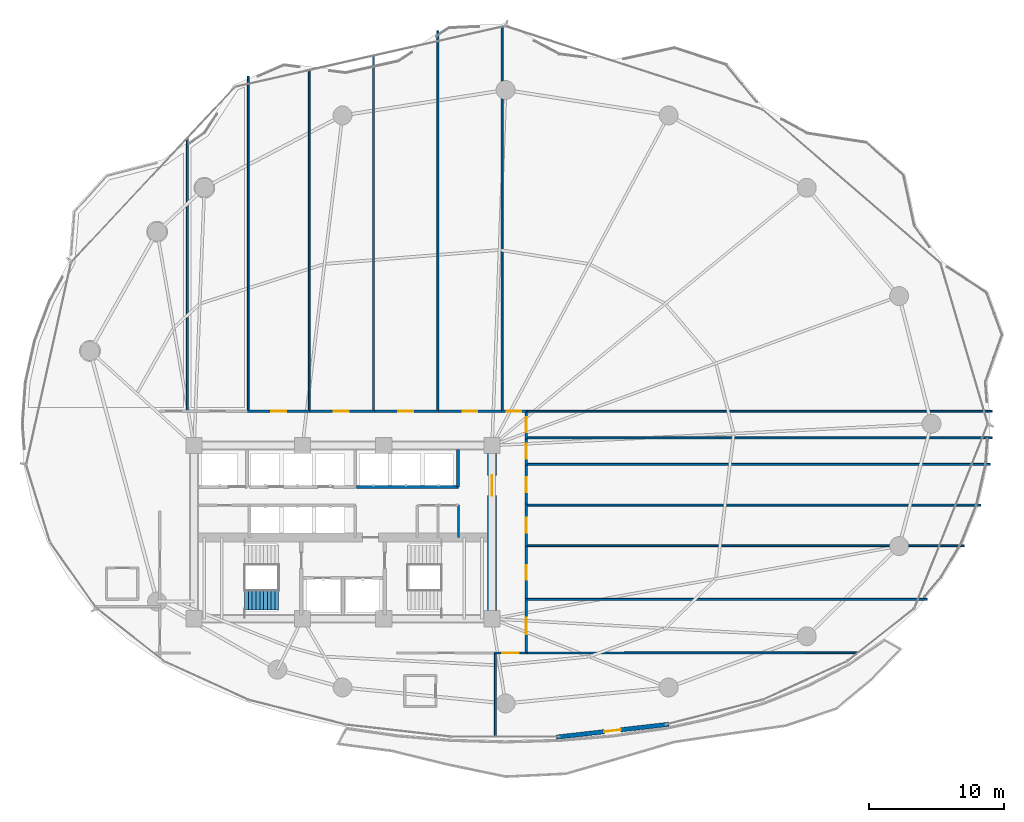
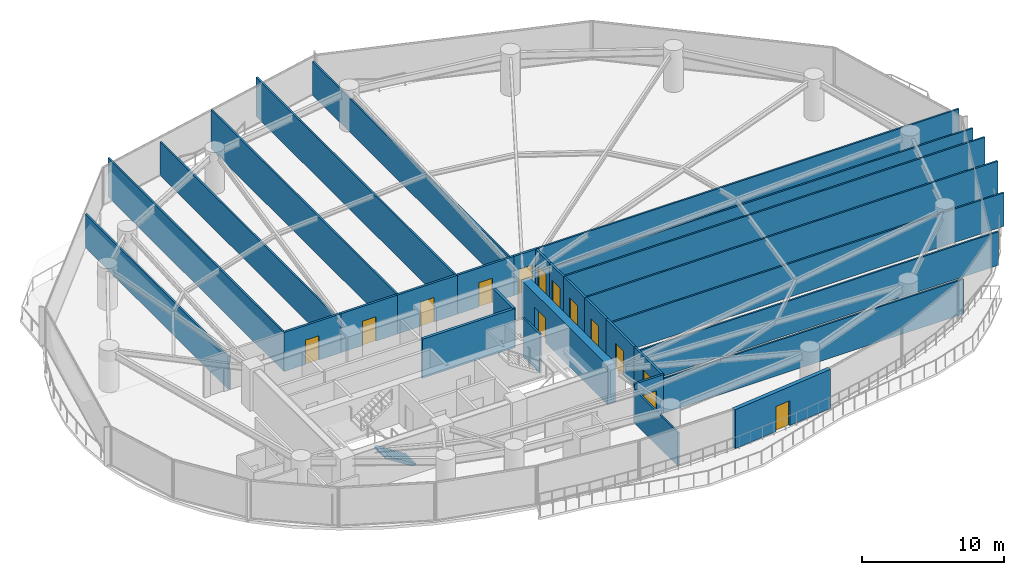
# One storey, part 27 of 33: 31 walls, 14 doors, 1 stair flight, 14 openings, 1 element without a shape of its own.
"""IFC4 building model written with IfcOpenShell, lengths in metres."""

import ifcopenshell
import ifcopenshell.guid

model = None  # the IFC model being written
_history = None  # IfcOwnerHistory: only IFC2X3 demands one
_inside = {}  # id of a spatial element -> (the spatial element, [elements in it])
_under = {}  # id of a project, library or spatial element -> (it, [spatial elements below it])
_declared = {}  # id of a project -> (the project, [libraries it declares])
_typed = {}  # id of a type object -> (the type object, [elements of that type])
_made_of = {}  # id of a material, layer set ... -> (it, [elements and type objects made of it])


def new_model(schema):
    """Start an empty IFC model of exactly this schema.

    Asked for "IFC4X3", IfcOpenShell would pick the latest addendum, in which some entities
    have other attributes; the version numbers below select the first issue.
    IFC2X3 requires an IfcOwnerHistory on every rooted entity: one is made here for all.
    """
    global model, _history
    if schema == "IFC4X3":
        model = ifcopenshell.file(schema_version=(4, 3, 0, 0))
    else:
        model = ifcopenshell.file(schema=schema)
    _inside.clear()
    _under.clear()
    _declared.clear()
    _typed.clear()
    _made_of.clear()
    _history = None
    if model.schema == "IFC2X3":
        org = make("IfcOrganization", Name="unknown")
        user = make(
            "IfcPersonAndOrganization",
            ThePerson=make("IfcPerson", FamilyName="unknown"),
            TheOrganization=org,
        )
        app = make(
            "IfcApplication",
            ApplicationDeveloper=org,
            Version="unknown",
            ApplicationFullName="unknown",
            ApplicationIdentifier="unknown",
        )
        _history = make(
            "IfcOwnerHistory",
            OwningUser=user,
            OwningApplication=app,
            ChangeAction="ADDED",
            CreationDate=0,
        )
    return model


def make(cls, **values):
    """One entity of the class cls with the attributes given. An attribute that is None is left unset."""
    return model.create_entity(
        cls, **{name: value for name, value in values.items() if value is not None}
    )


def rooted(cls, **values):
    """An entity with a GlobalId (a new one), such as an element, a storey or a relation."""
    return make(cls, GlobalId=ifcopenshell.guid.new(), OwnerHistory=_history, **values)


def si_unit(unit_type, name, prefix=None):
    """IfcSIUnit, for example si_unit("LENGTHUNIT", "METRE", prefix="MILLI")."""
    return make("IfcSIUnit", UnitType=unit_type, Prefix=prefix, Name=name)


def assignment(units):
    """IfcUnitAssignment: the units of a project."""
    return None if units is None else make("IfcUnitAssignment", Units=units)


def point(xyz):
    """IfcCartesianPoint."""
    return None if xyz is None else make("IfcCartesianPoint", Coordinates=xyz)


def direction(xyz):
    """IfcDirection."""
    return None if xyz is None else make("IfcDirection", DirectionRatios=xyz)


def frame(location, z_axis=None, x_axis=None):
    """IfcAxis2Placement3D, a coordinate frame: its origin and axes. An axis left out is left unset."""
    return make(
        "IfcAxis2Placement3D",
        Location=point(location),
        Axis=direction(z_axis),
        RefDirection=direction(x_axis),
    )


def frame_2d(location, x_axis=None):
    """IfcAxis2Placement2D, a coordinate frame in the plane: its origin and x axis."""
    return make(
        "IfcAxis2Placement2D", Location=point(location), RefDirection=direction(x_axis)
    )


def origin():
    """The frame at (0, 0, 0) with its axes left unset."""
    return frame((0.0, 0.0, 0.0))


def place(relative_to, where):
    """IfcLocalPlacement: puts the frame where relative to a parent placement (None: the world)."""
    return make(
        "IfcLocalPlacement", PlacementRelTo=relative_to, RelativePlacement=where
    )


def context(
    kind, dimensions, precision=None, world=None, true_north=None, identifier=None
):
    """IfcGeometricRepresentationContext, for example the 3D "Model" context."""
    return make(
        "IfcGeometricRepresentationContext",
        ContextIdentifier=identifier,
        ContextType=kind,
        CoordinateSpaceDimension=dimensions,
        Precision=precision,
        WorldCoordinateSystem=world,
        TrueNorth=true_north,
    )


def subcontext(parent, identifier, kind, view, scale=None):
    """IfcGeometricRepresentationSubContext, for example "Body" below "Model"."""
    return make(
        "IfcGeometricRepresentationSubContext",
        ContextIdentifier=identifier,
        ContextType=kind,
        ParentContext=parent,
        TargetScale=scale,
        TargetView=view,
    )


def project(units=None, contexts=None):
    """IfcProject with its units and contexts."""
    return rooted(
        "IfcProject",
        Name="project",
        RepresentationContexts=contexts,
        UnitsInContext=assignment(units),
    )


def spatial(cls, under=None, at=None, **own):
    """A site, building, storey or space (cls), placed at a placement, below another one or the project."""
    s = rooted(cls, ObjectPlacement=at, **own)
    if under is not None:
        _under.setdefault(under.id(), (under, []))[1].append(s)
    return s


def polyline(points):
    """IfcPolyline through the points."""
    return make("IfcPolyline", Points=[point(p) for p in points])


def profile(cls, at=None, kind="AREA", **sizes):
    """A parametric profile (cls). Its sizes go by their IFC names, for example OverallWidth=200.0."""
    return make(cls, ProfileType=kind, Position=at, **sizes)


def rectangle(**sizes):
    """IfcRectangleProfileDef."""
    return profile("IfcRectangleProfileDef", **sizes)


def outline(outer, holes=None, kind="AREA"):
    """IfcArbitraryClosedProfileDef: a profile drawn as a closed curve; with holes, ...WithVoids."""
    if holes is None:
        return make("IfcArbitraryClosedProfileDef", ProfileType=kind, OuterCurve=outer)
    return make(
        "IfcArbitraryProfileDefWithVoids",
        ProfileType=kind,
        OuterCurve=outer,
        InnerCurves=holes,
    )


def extrude(swept, where, along, depth):
    """IfcExtrudedAreaSolid: the profile swept, set in the frame where, extruded along a direction by depth."""
    return make(
        "IfcExtrudedAreaSolid",
        SweptArea=swept,
        Position=where,
        ExtrudedDirection=direction(along),
        Depth=depth,
    )


def shape(context_of_items, identifier, shape_type, items):
    """IfcShapeRepresentation: the items that make up one representation, for example the "Body"."""
    return make(
        "IfcShapeRepresentation",
        ContextOfItems=context_of_items,
        RepresentationIdentifier=identifier,
        RepresentationType=shape_type,
        Items=items,
    )


def material(Name=None, Category=None):
    """IfcMaterial."""
    return make("IfcMaterial", Name=Name, Category=Category)


def layer(
    of_material, thickness, ventilated=None, Name=None, Category=None, Priority=None
):
    """IfcMaterialLayer: one layer of a wall or slab, of a material (None: an air gap)."""
    return make(
        "IfcMaterialLayer",
        Material=of_material,
        LayerThickness=thickness,
        IsVentilated=ventilated,
        Name=Name,
        Category=Category,
        Priority=Priority,
    )


def layer_set(layers, Name=None):
    """IfcMaterialLayerSet."""
    return make("IfcMaterialLayerSet", MaterialLayers=layers, LayerSetName=Name)


def made_of(thing, what):
    """Note that an element or type object is made of a material, layer set ...; save() writes the relation."""
    if what is not None:
        _made_of.setdefault(what.id(), (what, []))[1].append(thing)
    return thing


def type_object(cls, material=None, **own):
    """A type object (cls), such as IfcWallType, which elements share."""
    return made_of(rooted(cls, **own), material)


def element(
    cls,
    number,
    at=None,
    inside=None,
    cuts=None,
    type_object=None,
    material=None,
    context=None,
    identifier="Body",
    shape_type=None,
    held_by="IfcProductDefinitionShape",
    body=None,
    shapes=None,
    **own,
):
    """One element of the class cls, such as IfcWall. Its Tag is "e" and its number.

    at: its placement. inside: the storey or other place that contains it. cuts: it is an
    opening in that element (IfcRelVoidsElement). A single representation is given by context,
    identifier, shape_type and body (its items); several are given by shapes. held_by: the class
    of the entity that holds the representations. save() writes the other relations.
    """
    e = rooted(cls, Tag="e%d" % number, ObjectPlacement=at, **own)
    if body is not None:
        shapes = [shape(context, identifier, shape_type, body)]
    if shapes is not None:
        e.Representation = make(held_by, Representations=shapes)
    if inside is not None:
        _inside.setdefault(inside.id(), (inside, []))[1].append(e)
    if cuts is not None:
        rooted(
            "IfcRelVoidsElement", RelatingBuildingElement=cuts, RelatedOpeningElement=e
        )
    if type_object is not None:
        _typed.setdefault(type_object.id(), (type_object, []))[1].append(e)
    return made_of(e, material)


def fill(opening, filler):
    """IfcRelFillsElement: the door or window that sits in an opening."""
    return rooted(
        "IfcRelFillsElement",
        RelatingOpeningElement=opening,
        RelatedBuildingElement=filler,
    )


def aggregate(whole, parts):
    """IfcRelAggregates: a whole, such as a stair, and the parts it consists of."""
    return rooted("IfcRelAggregates", RelatingObject=whole, RelatedObjects=parts)


def save(model, path):
    """Write the relations noted so far, then the file.

    IfcRelAggregates (storeys below a building ...), IfcRelContainedInSpatialStructure (elements
    in a storey), IfcRelDefinesByType, IfcRelAssociatesMaterial and IfcRelDeclares: one each for
    every whole, place, type object, material and project.
    """
    for whole, parts in _under.values():
        aggregate(whole, parts)
    for where, things in _inside.values():
        rooted(
            "IfcRelContainedInSpatialStructure",
            RelatedElements=things,
            RelatingStructure=where,
        )
    for kind, things in _typed.values():
        rooted("IfcRelDefinesByType", RelatedObjects=things, RelatingType=kind)
    for what, things in _made_of.values():
        rooted("IfcRelAssociatesMaterial", RelatedObjects=things, RelatingMaterial=what)
    for by, libraries in _declared.values():
        rooted("IfcRelDeclares", RelatingContext=by, RelatedDefinitions=libraries)
    model.write(path)


model = new_model("IFC4")

# Units and contexts
model_context = context("Model", 3, precision=1e-05, world=origin(), true_north=direction((0.0, 1.0)))
body_context = subcontext(model_context, "Body", "Model", "MODEL_VIEW")
ifc_project = project(units=[si_unit("LENGTHUNIT", "METRE"), si_unit("AREAUNIT", "SQUARE_METRE"), si_unit("VOLUMEUNIT", "CUBIC_METRE"), si_unit("PLANEANGLEUNIT", "RADIAN"), si_unit("MASSUNIT", "GRAM", prefix="KILO")], contexts=[model_context])

# Site, building, storey
site_placement = place(None, origin())
site = spatial("IfcSite", under=ifc_project, at=site_placement, CompositionType="ELEMENT")
building_placement = place(site_placement, origin())
building = spatial("IfcBuilding", under=site, at=building_placement, Name="Kazevale Care Tower and Concert Hall", CompositionType="ELEMENT")
storey_placement = place(building_placement, frame((0.0, 0.0, 52.800048828125)))
storey = spatial("IfcBuildingStorey", under=building, at=storey_placement, Name="L13", CompositionType="ELEMENT", Elevation=52.800048828125)

# Walls
ifc_material_1 = material(Name="Acoustic Gypsum on Steel Stud", Category="steel")
ifc_layer_1 = layer(ifc_material_1, 0.139892578125)
ifc_layer_set_1 = layer_set([ifc_layer_1], Name="Acoustic Gypsum on Steel Stud")
wall_type_1 = type_object("IfcWallType", Name="Acoustic Care & Suite Partition 140", PredefinedType="PARTITIONING", material=ifc_layer_set_1)
wall_1_placement = place(storey_placement, frame((41.52001953125, 29.6201171875, 0.0), z_axis=(0.0, 0.0, 1.0), x_axis=(0.0, 1.0, 0.0)))
element("IfcWall", 1, at=wall_1_placement, inside=storey, type_object=wall_type_1, Name="wall:L13:ka_ee", PredefinedType="PARTITIONING", context=body_context, shape_type="SweptSolid", body=[
    extrude(rectangle(XDim=2.35986328125, YDim=0.139892578125, at=frame_2d((1.179931640625, 0.0))), origin(), (0.0, 0.0, 1.0), 3.35986328125),
])
wall_2_placement = place(storey_placement, frame((21.5, 59.085205078125, 0.0), z_axis=(0.0, 0.0, 1.0), x_axis=(0.0, -1.0, 0.0)))
element("IfcWall", 2, at=wall_2_placement, inside=storey, type_object=wall_type_1, Name="wall:L13:auto_019", PredefinedType="PARTITIONING", context=body_context, shape_type="SweptSolid", body=[
    extrude(rectangle(XDim=20.190185546875, YDim=0.139892578125, at=frame_2d((10.09521484375, 0.0))), origin(), (0.0, 0.0, 1.0), 2.889892578125),
])
wall_3_placement = place(storey_placement, frame((26.0, 63.674072265625, 0.0), z_axis=(0.0, 0.0, 1.0), x_axis=(0.0, -1.0, 0.0)))
element("IfcWall", 3, at=wall_3_placement, inside=storey, type_object=wall_type_1, Name="wall:L13:auto_020", PredefinedType="PARTITIONING", context=body_context, shape_type="SweptSolid", body=[
    extrude(rectangle(XDim=24.779052734375, YDim=0.139892578125, at=frame_2d((12.3896484375, 0.0))), origin(), (0.0, 0.0, 1.0), 3.35986328125),
])
wall_4_placement = place(storey_placement, frame((30.5, 64.098388671875, 0.0), z_axis=(0.0, 0.0, 1.0), x_axis=(0.0, -1.0, 0.0)))
element("IfcWall", 4, at=wall_4_placement, inside=storey, type_object=wall_type_1, Name="wall:L13:auto_021", PredefinedType="PARTITIONING", context=body_context, shape_type="SweptSolid", body=[
    extrude(rectangle(XDim=25.203369140625, YDim=0.139892578125, at=frame_2d((12.6015625, 0.0))), origin(), (0.0, 0.0, 1.0), 2.889892578125),
])
wall_5_placement = place(storey_placement, frame((35.25, 65.169189453125, 0.0), z_axis=(0.0, 0.0, 1.0), x_axis=(0.0, -1.0, 0.0)))
element("IfcWall", 5, at=wall_5_placement, inside=storey, type_object=wall_type_1, Name="wall:L13:auto_022", PredefinedType="PARTITIONING", context=body_context, shape_type="SweptSolid", body=[
    extrude(rectangle(XDim=26.274169921875, YDim=0.139892578125, at=frame_2d((13.13720703125, 0.0))), origin(), (0.0, 0.0, 1.0), 3.35986328125),
])
wall_6_placement = place(storey_placement, frame((40.0, 67.02099609375, 0.0), z_axis=(0.0, 0.0, 1.0), x_axis=(0.0, -1.0, 0.0)))
element("IfcWall", 6, at=wall_6_placement, inside=storey, type_object=wall_type_1, Name="wall:L13:auto_023", PredefinedType="PARTITIONING", context=body_context, shape_type="SweptSolid", body=[
    extrude(rectangle(XDim=28.1259765625, YDim=0.139892578125, at=frame_2d((14.06298828125, 0.0))), origin(), (0.0, 0.0, 1.0), 3.35986328125),
])
wall_7_placement = place(storey_placement, frame((44.75, 67.310791015625, 0.0), z_axis=(0.0, 0.0, 1.0), x_axis=(0.0, -1.0, 0.0)))
element("IfcWall", 7, at=wall_7_placement, inside=storey, type_object=wall_type_1, Name="wall:L13:auto_024", PredefinedType="PARTITIONING", context=body_context, shape_type="SweptSolid", body=[
    extrude(rectangle(XDim=28.415771484375, YDim=0.139892578125, at=frame_2d((14.2080078125, 0.0))), origin(), (0.0, 0.0, 1.0), 2.889892578125),
])
wall_8_placement = place(storey_placement, frame((80.931884765625, 38.925048828125, 0.0), z_axis=(0.0, 0.0, 1.0), x_axis=(-1.0, 0.0, 0.0)))
element("IfcWall", 8, at=wall_8_placement, inside=storey, type_object=wall_type_1, Name="wall:L13:auto_025", PredefinedType="PARTITIONING", context=body_context, shape_type="SweptSolid", body=[
    extrude(rectangle(XDim=34.471923828125, YDim=0.139892578125, at=frame_2d((17.23583984375, 0.0))), origin(), (0.0, 0.0, 1.0), 3.35986328125),
])
wall_9_placement = place(storey_placement, frame((46.4951171875, 25.0400390625, 0.0), z_axis=(0.0, 0.0, 1.0), x_axis=(1.0, 0.0, 0.0)))
element("IfcWall", 9, at=wall_9_placement, inside=storey, type_object=wall_type_1, Name="wall:L13:auto_026", PredefinedType="PARTITIONING", context=body_context, shape_type="SweptSolid", body=[
    extrude(rectangle(XDim=29.625, YDim=0.139892578125, at=frame_2d((14.8125, 0.0))), origin(), (0.0, 0.0, 1.0), 2.889892578125),
])
wall_10_placement = place(storey_placement, frame((71.0107421875, 21.094482421875, 0.0), z_axis=(0.0, 0.0, 1.0), x_axis=(-0.999999682646, -0.000796685534, 0.0)))
element("IfcWall", 10, at=wall_10_placement, inside=storey, type_object=wall_type_1, Name="wall:L13:auto_027", PredefinedType="PARTITIONING", context=body_context, shape_type="SweptSolid", body=[
    extrude(rectangle(XDim=24.515625, YDim=0.139892578125, at=frame_2d((12.2578125, 0.0))), origin(), (0.0, 0.0, 1.0), 2.995849609375),
])
wall_11_placement = place(storey_placement, frame((46.4951171875, 29.0, 0.0), z_axis=(0.0, 0.0, 1.0), x_axis=(1.0, 0.0, 0.0)))
element("IfcWall", 11, at=wall_11_placement, inside=storey, type_object=wall_type_1, Name="wall:L13:auto_028", PredefinedType="PARTITIONING", context=body_context, shape_type="SweptSolid", body=[
    extrude(rectangle(XDim=32.36083984375, YDim=0.139892578125, at=frame_2d((16.180419921875, 0.0))), origin(), (0.0, 0.0, 1.0), 2.889892578125),
])
wall_12_placement = place(storey_placement, frame((46.4951171875, 32.0, 0.0), z_axis=(0.0, 0.0, 1.0), x_axis=(1.0, 0.0, 0.0)))
element("IfcWall", 12, at=wall_12_placement, inside=storey, type_object=wall_type_1, Name="wall:L13:auto_029", PredefinedType="PARTITIONING", context=body_context, shape_type="SweptSolid", body=[
    extrude(rectangle(XDim=33.60498046875, YDim=0.139892578125, at=frame_2d((16.802490234375, 0.0))), origin(), (0.0, 0.0, 1.0), 3.35986328125),
])
wall_13_placement = place(storey_placement, frame((46.4951171875, 35.0, 0.0), z_axis=(0.0, 0.0, 1.0), x_axis=(1.0, 0.0, 0.0)))
element("IfcWall", 13, at=wall_13_placement, inside=storey, type_object=wall_type_1, Name="wall:L13:auto_030", PredefinedType="PARTITIONING", context=body_context, shape_type="SweptSolid", body=[
    extrude(rectangle(XDim=34.283935546875, YDim=0.139892578125, at=frame_2d((17.14208984375, 0.0))), origin(), (0.0, 0.0, 1.0), 3.35986328125),
])
wall_14_placement = place(storey_placement, frame((46.4951171875, 36.9599609375, 0.0), z_axis=(0.0, 0.0, 1.0), x_axis=(1.0, 0.0, 0.0)))
element("IfcWall", 14, at=wall_14_placement, inside=storey, type_object=wall_type_1, Name="wall:L13:auto_031", PredefinedType="PARTITIONING", context=body_context, shape_type="SweptSolid", body=[
    extrude(rectangle(XDim=34.427978515625, YDim=0.139892578125, at=frame_2d((17.2138671875, 0.0))), origin(), (0.0, 0.0, 1.0), 2.889892578125),
])
wall_15_placement = place(storey_placement, frame((44.25, 21.10498046875, 0.0), z_axis=(0.0, 0.0, 1.0), x_axis=(0.0, -1.0, 0.0)))
element("IfcWall", 15, at=wall_15_placement, inside=storey, type_object=wall_type_1, Name="wall:L13:auto_032", PredefinedType="PARTITIONING", context=body_context, shape_type="SweptSolid", body=[
    extrude(rectangle(XDim=6.205078125, YDim=0.139892578125, at=frame_2d((3.1025390625, 0.0))), origin(), (0.0, 0.0, 1.0), 2.889892578125),
])

# Wall, opening, door
ifc_material_2 = material(Name="Concrete C70", Category="concrete")
ifc_layer_2 = layer(ifc_material_2, 0.64990234375)
ifc_layer_set_2 = layer_set([ifc_layer_2], Name="Concrete C70")
wall_type_2 = type_object("IfcWallType", Name="Core Shear Wall 650 C70", PredefinedType="SHEAR", material=ifc_layer_set_2)
wall_16_placement = place(storey_placement, frame((44.0, 23.925048828125, 0.0), z_axis=(0.0, 0.0, 1.0), x_axis=(0.0, 1.0, 0.0)))
wall_16 = element("IfcWall", 16, at=wall_16_placement, inside=storey, type_object=wall_type_2, Name="wall:L13:core:E", PredefinedType="SHEAR", context=body_context, shape_type="SweptSolid", body=[
    extrude(rectangle(XDim=12.14990234375, YDim=0.64990234375, at=frame_2d((6.074951171875, 0.0))), origin(), (0.0, 0.0, 1.0), 3.35986328125),
])
opening_1_placement = place(wall_16_placement, frame((8.77490234375, 0.0, 0.0)))
opening_1 = element("IfcOpeningElement", 17, at=opening_1_placement, cuts=wall_16, Name="Opening FD-60D", PredefinedType="OPENING", context=body_context, shape_type="SweptSolid", body=[
    extrude(rectangle(XDim=1.5, YDim=2.14990234375, at=frame_2d((0.75, 1.074951171875))), frame((0.0, 0.3349609375, 0.0), z_axis=(0.0, -1.0, 0.0), x_axis=(1.0, 0.0, 0.0)), (0.0, 0.0, 1.0), 0.669921875),
])
ifc_material_3 = material(Name="Oak Timber Fire Leaf", Category="wood")
door_type_1 = type_object("IfcDoorType", Name="Double Lobby & Auditorium Fire Door 1500x2150", OperationType="NOTDEFINED", PredefinedType="DOOR", material=ifc_material_3)
door_1_placement = place(opening_1_placement, origin())
door_1 = element("IfcDoor", 18, at=door_1_placement, inside=storey, type_object=door_type_1, Name="door:L13:core_east_out", OperationType="DOUBLE_DOOR_SINGLE_SWING", OverallHeight=2.14990234375, OverallWidth=1.5, PredefinedType="DOOR", context=body_context, shape_type="SweptSolid", body=[
    extrude(rectangle(XDim=1.5, YDim=2.14990234375, at=frame_2d((0.75, 1.074951171875))), frame((0.0, 0.02490234375, 0.0), z_axis=(0.0, -1.0, 0.0), x_axis=(1.0, 0.0, 0.0)), (0.0, 0.0, 1.0), 0.050048828125),
])
fill(opening_1, door_1)

# Walls
ifc_material_4 = material(Name="Concrete C40", Category="concrete")
ifc_layer_3 = layer(ifc_material_4, 0.219970703125)
ifc_layer_set_3 = layer_set([ifc_layer_3], Name="Concrete C40")
wall_type_3 = type_object("IfcWallType", Name="Elevator Hoistway Shaft Wall 220", PredefinedType="SOLIDWALL", material=ifc_layer_set_3)
wall_17_placement = place(storey_placement, frame((33.97998046875, 33.35009765625, 0.0), z_axis=(0.0, 0.0, 1.0), x_axis=(1.0, 0.0, 0.0)))
element("IfcWall", 19, at=wall_17_placement, inside=storey, type_object=wall_type_3, Name="wall:L13:c_pm_s", PredefinedType="SOLIDWALL", context=body_context, shape_type="SweptSolid", body=[
    extrude(rectangle(XDim=7.5400390625, YDim=0.219970703125, at=frame_2d((3.77001953125, 0.0))), origin(), (0.0, 0.0, 1.0), 3.35986328125),
])
wall_18_placement = place(storey_placement, frame((41.5, 33.35009765625, 0.0), z_axis=(0.0, 0.0, 1.0), x_axis=(0.0, 1.0, 0.0)))
element("IfcWall", 20, at=wall_18_placement, inside=storey, type_object=wall_type_3, Name="wall:L13:c_pm_e", PredefinedType="SOLIDWALL", context=body_context, shape_type="SweptSolid", body=[
    extrude(rectangle(XDim=2.75, YDim=0.219970703125, at=frame_2d((1.375, 0.0))), origin(), (0.0, 0.0, 1.0), 3.35986328125),
])

# Wall, opening, door
ifc_material_5 = material(Name="Concrete C40 and Acoustic Gypsum", Category="concrete")
ifc_layer_4 = layer(ifc_material_5, 0.179931640625)
ifc_layer_set_4 = layer_set([ifc_layer_4], Name="Concrete C40 and Acoustic Gypsum")
wall_type_4 = type_object("IfcWallType", Name="Fire-Rated Corridor & Party Wall 180", PredefinedType="PARTITIONING", material=ifc_layer_set_4)
wall_19_placement = place(storey_placement, frame((25.93505859375, 38.925048828125, 0.0), z_axis=(0.0, 0.0, 1.0), x_axis=(1.0, 0.0, 0.0)))
wall_19 = element("IfcWall", 21, at=wall_19_placement, inside=storey, type_object=wall_type_4, Name="wall:L13:auto_003", PredefinedType="PARTITIONING", context=body_context, shape_type="SweptSolid", body=[
    extrude(rectangle(XDim=4.6298828125, YDim=0.179931640625, at=frame_2d((2.31494140625, 0.0))), origin(), (0.0, 0.0, 1.0), 3.35986328125),
])
opening_2_placement = place(wall_19_placement, frame((1.764892578125, 0.0, 0.0)))
opening_2 = element("IfcOpeningElement", 22, at=opening_2_placement, cuts=wall_19, Name="Opening ID-1100", PredefinedType="OPENING", context=body_context, shape_type="SweptSolid", body=[
    extrude(rectangle(XDim=1.10009765625, YDim=2.10009765625, at=frame_2d((0.550048828125, 1.050048828125))), frame((0.0, 0.099853515625, 0.0), z_axis=(0.0, -1.0, 0.0), x_axis=(1.0, 0.0, 0.0)), (0.0, 0.0, 1.0), 0.199951171875),
])
door_type_2 = type_object("IfcDoorType", Name="Care Bedroom Accessible Door 1100x2100", OperationType="NOTDEFINED", PredefinedType="DOOR", material=ifc_material_3)
door_2_placement = place(opening_2_placement, origin())
door_2 = element("IfcDoor", 23, at=door_2_placement, inside=storey, type_object=door_type_2, Name="door:L13:ad_003", OperationType="SINGLE_SWING_LEFT", OverallHeight=2.10009765625, OverallWidth=1.10009765625, PredefinedType="DOOR", context=body_context, shape_type="SweptSolid", body=[
    extrude(rectangle(XDim=1.10009765625, YDim=2.10009765625, at=frame_2d((0.550048828125, 1.050048828125))), frame((0.0, 0.02490234375, 0.0), z_axis=(0.0, -1.0, 0.0), x_axis=(1.0, 0.0, 0.0)), (0.0, 0.0, 1.0), 0.050048828125),
])
fill(opening_2, door_2)

wall_20_placement = place(storey_placement, frame((30.43505859375, 38.925048828125, 0.0), z_axis=(0.0, 0.0, 1.0), x_axis=(1.0, 0.0, 0.0)))
wall_20 = element("IfcWall", 24, at=wall_20_placement, inside=storey, type_object=wall_type_4, Name="wall:L13:auto_004", PredefinedType="PARTITIONING", context=body_context, shape_type="SweptSolid", body=[
    extrude(rectangle(XDim=4.8798828125, YDim=0.179931640625, at=frame_2d((2.43994140625, 0.0))), origin(), (0.0, 0.0, 1.0), 3.35986328125),
])
opening_3_placement = place(wall_20_placement, frame((1.889892578125, 0.0, 0.0)))
opening_3 = element("IfcOpeningElement", 25, at=opening_3_placement, cuts=wall_20, Name="Opening ID-1100", PredefinedType="OPENING", context=body_context, shape_type="SweptSolid", body=[
    extrude(rectangle(XDim=1.10009765625, YDim=2.10009765625, at=frame_2d((0.550048828125, 1.050048828125))), frame((0.0, 0.099853515625, 0.0), z_axis=(0.0, -1.0, 0.0), x_axis=(1.0, 0.0, 0.0)), (0.0, 0.0, 1.0), 0.199951171875),
])
door_3_placement = place(opening_3_placement, origin())
door_3 = element("IfcDoor", 26, at=door_3_placement, inside=storey, type_object=door_type_2, Name="door:L13:ad_004", OperationType="SINGLE_SWING_LEFT", OverallHeight=2.10009765625, OverallWidth=1.10009765625, PredefinedType="DOOR", context=body_context, shape_type="SweptSolid", body=[
    extrude(rectangle(XDim=1.10009765625, YDim=2.10009765625, at=frame_2d((0.550048828125, 1.050048828125))), frame((0.0, 0.02490234375, 0.0), z_axis=(0.0, -1.0, 0.0), x_axis=(1.0, 0.0, 0.0)), (0.0, 0.0, 1.0), 0.050048828125),
])
fill(opening_3, door_3)

wall_21_placement = place(storey_placement, frame((35.18505859375, 38.925048828125, 0.0), z_axis=(0.0, 0.0, 1.0), x_axis=(1.0, 0.0, 0.0)))
wall_21 = element("IfcWall", 27, at=wall_21_placement, inside=storey, type_object=wall_type_4, Name="wall:L13:auto_005", PredefinedType="PARTITIONING", context=body_context, shape_type="SweptSolid", body=[
    extrude(rectangle(XDim=4.8798828125, YDim=0.179931640625, at=frame_2d((2.43994140625, 0.0))), origin(), (0.0, 0.0, 1.0), 3.35986328125),
])
opening_4_placement = place(wall_21_placement, frame((1.889892578125, 0.0, 0.0)))
opening_4 = element("IfcOpeningElement", 28, at=opening_4_placement, cuts=wall_21, Name="Opening ID-1100", PredefinedType="OPENING", context=body_context, shape_type="SweptSolid", body=[
    extrude(rectangle(XDim=1.10009765625, YDim=2.10009765625, at=frame_2d((0.550048828125, 1.050048828125))), frame((0.0, 0.099853515625, 0.0), z_axis=(0.0, -1.0, 0.0), x_axis=(1.0, 0.0, 0.0)), (0.0, 0.0, 1.0), 0.199951171875),
])
door_4_placement = place(opening_4_placement, origin())
door_4 = element("IfcDoor", 29, at=door_4_placement, inside=storey, type_object=door_type_2, Name="door:L13:ad_005", OperationType="SINGLE_SWING_LEFT", OverallHeight=2.10009765625, OverallWidth=1.10009765625, PredefinedType="DOOR", context=body_context, shape_type="SweptSolid", body=[
    extrude(rectangle(XDim=1.10009765625, YDim=2.10009765625, at=frame_2d((0.550048828125, 1.050048828125))), frame((0.0, 0.02490234375, 0.0), z_axis=(0.0, -1.0, 0.0), x_axis=(1.0, 0.0, 0.0)), (0.0, 0.0, 1.0), 0.050048828125),
])
fill(opening_4, door_4)

wall_22_placement = place(storey_placement, frame((39.93505859375, 38.925048828125, 0.0), z_axis=(0.0, 0.0, 1.0), x_axis=(1.0, 0.0, 0.0)))
wall_22 = element("IfcWall", 30, at=wall_22_placement, inside=storey, type_object=wall_type_4, Name="wall:L13:auto_006", PredefinedType="PARTITIONING", context=body_context, shape_type="SweptSolid", body=[
    extrude(rectangle(XDim=4.8798828125, YDim=0.179931640625, at=frame_2d((2.43994140625, 0.0))), origin(), (0.0, 0.0, 1.0), 3.35986328125),
])
opening_5_placement = place(wall_22_placement, frame((1.889892578125, 0.0, 0.0)))
opening_5 = element("IfcOpeningElement", 31, at=opening_5_placement, cuts=wall_22, Name="Opening ID-1100", PredefinedType="OPENING", context=body_context, shape_type="SweptSolid", body=[
    extrude(rectangle(XDim=1.10009765625, YDim=2.10009765625, at=frame_2d((0.550048828125, 1.050048828125))), frame((0.0, 0.099853515625, 0.0), z_axis=(0.0, -1.0, 0.0), x_axis=(1.0, 0.0, 0.0)), (0.0, 0.0, 1.0), 0.199951171875),
])
door_5_placement = place(opening_5_placement, origin())
door_5 = element("IfcDoor", 32, at=door_5_placement, inside=storey, type_object=door_type_2, Name="door:L13:ad_006", OperationType="SINGLE_SWING_LEFT", OverallHeight=2.10009765625, OverallWidth=1.10009765625, PredefinedType="DOOR", context=body_context, shape_type="SweptSolid", body=[
    extrude(rectangle(XDim=1.10009765625, YDim=2.10009765625, at=frame_2d((0.550048828125, 1.050048828125))), frame((0.0, 0.02490234375, 0.0), z_axis=(0.0, -1.0, 0.0), x_axis=(1.0, 0.0, 0.0)), (0.0, 0.0, 1.0), 0.050048828125),
])
fill(opening_5, door_5)

wall_23_placement = place(storey_placement, frame((44.68505859375, 38.925048828125, 0.0), z_axis=(0.0, 0.0, 1.0), x_axis=(1.0, 0.0, 0.0)))
wall_23 = element("IfcWall", 33, at=wall_23_placement, inside=storey, type_object=wall_type_4, Name="wall:L13:auto_007", PredefinedType="PARTITIONING", context=body_context, shape_type="SweptSolid", body=[
    extrude(rectangle(XDim=1.869873046875, YDim=0.179931640625, at=frame_2d((0.93505859375, 0.0))), origin(), (0.0, 0.0, 1.0), 3.35986328125),
])
opening_6_placement = place(wall_23_placement, frame((0.385009765625, 0.0, 0.0)))
opening_6 = element("IfcOpeningElement", 34, at=opening_6_placement, cuts=wall_23, Name="Opening ID-1100", PredefinedType="OPENING", context=body_context, shape_type="SweptSolid", body=[
    extrude(rectangle(XDim=1.10009765625, YDim=2.10009765625, at=frame_2d((0.550048828125, 1.050048828125))), frame((0.0, 0.099853515625, 0.0), z_axis=(0.0, -1.0, 0.0), x_axis=(1.0, 0.0, 0.0)), (0.0, 0.0, 1.0), 0.199951171875),
])
door_6_placement = place(opening_6_placement, origin())
door_6 = element("IfcDoor", 35, at=door_6_placement, inside=storey, type_object=door_type_2, Name="door:L13:ad_007", OperationType="SINGLE_SWING_LEFT", OverallHeight=2.10009765625, OverallWidth=1.10009765625, PredefinedType="DOOR", context=body_context, shape_type="SweptSolid", body=[
    extrude(rectangle(XDim=1.10009765625, YDim=2.10009765625, at=frame_2d((0.550048828125, 1.050048828125))), frame((0.0, 0.02490234375, 0.0), z_axis=(0.0, -1.0, 0.0), x_axis=(1.0, 0.0, 0.0)), (0.0, 0.0, 1.0), 0.050048828125),
])
fill(opening_6, door_6)

wall_24_placement = place(storey_placement, frame((46.52490234375, 25.10498046875, 0.0), z_axis=(0.0, 0.0, 1.0), x_axis=(0.0, -1.0, 0.0)))
wall_24 = element("IfcWall", 36, at=wall_24_placement, inside=storey, type_object=wall_type_4, Name="wall:L13:auto_008", PredefinedType="PARTITIONING", context=body_context, shape_type="SweptSolid", body=[
    extrude(rectangle(XDim=4.06005859375, YDim=0.179931640625, at=frame_2d((2.030029296875, 0.0))), origin(), (0.0, 0.0, 1.0), 3.35986328125),
])
opening_7_placement = place(wall_24_placement, frame((1.429931640625, 0.0, 0.0)))
opening_7 = element("IfcOpeningElement", 37, at=opening_7_placement, cuts=wall_24, Name="Opening ID-1200", PredefinedType="OPENING", context=body_context, shape_type="SweptSolid", body=[
    extrude(rectangle(XDim=1.199951171875, YDim=2.14990234375, at=frame_2d((0.60009765625, 1.074951171875))), frame((0.0, 0.099853515625, 0.0), z_axis=(0.0, -1.0, 0.0), x_axis=(1.0, 0.0, 0.0)), (0.0, 0.0, 1.0), 0.199951171875),
])
door_type_3 = type_object("IfcDoorType", Name="Clinical & Therapy Door 1200x2150", OperationType="NOTDEFINED", PredefinedType="DOOR", material=ifc_material_3)
door_7_placement = place(opening_7_placement, origin())
door_7 = element("IfcDoor", 38, at=door_7_placement, inside=storey, type_object=door_type_3, Name="door:L13:ad_008", OperationType="SINGLE_SWING_LEFT", OverallHeight=2.14990234375, OverallWidth=1.199951171875, PredefinedType="DOOR", context=body_context, shape_type="SweptSolid", body=[
    extrude(rectangle(XDim=1.199951171875, YDim=2.14990234375, at=frame_2d((0.60009765625, 1.074951171875))), frame((0.0, 0.02490234375, 0.0), z_axis=(0.0, -1.0, 0.0), x_axis=(1.0, 0.0, 0.0)), (0.0, 0.0, 1.0), 0.050048828125),
])
fill(opening_7, door_7)

wall_25_placement = place(storey_placement, frame((46.52490234375, 29.06494140625, 0.0), z_axis=(0.0, 0.0, 1.0), x_axis=(0.0, -1.0, 0.0)))
wall_25 = element("IfcWall", 39, at=wall_25_placement, inside=storey, type_object=wall_type_4, Name="wall:L13:auto_009", PredefinedType="PARTITIONING", context=body_context, shape_type="SweptSolid", body=[
    extrude(rectangle(XDim=4.08984375, YDim=0.179931640625, at=frame_2d((2.044921875, 0.0))), origin(), (0.0, 0.0, 1.0), 3.35986328125),
])
opening_8_placement = place(wall_25_placement, frame((1.4951171875, 0.0, 0.0)))
opening_8 = element("IfcOpeningElement", 40, at=opening_8_placement, cuts=wall_25, Name="Opening ID-1100", PredefinedType="OPENING", context=body_context, shape_type="SweptSolid", body=[
    extrude(rectangle(XDim=1.10009765625, YDim=2.10009765625, at=frame_2d((0.550048828125, 1.050048828125))), frame((0.0, 0.099853515625, 0.0), z_axis=(0.0, -1.0, 0.0), x_axis=(1.0, 0.0, 0.0)), (0.0, 0.0, 1.0), 0.199951171875),
])
door_8_placement = place(opening_8_placement, origin())
door_8 = element("IfcDoor", 41, at=door_8_placement, inside=storey, type_object=door_type_2, Name="door:L13:ad_009", OperationType="SINGLE_SWING_LEFT", OverallHeight=2.10009765625, OverallWidth=1.10009765625, PredefinedType="DOOR", context=body_context, shape_type="SweptSolid", body=[
    extrude(rectangle(XDim=1.10009765625, YDim=2.10009765625, at=frame_2d((0.550048828125, 1.050048828125))), frame((0.0, 0.02490234375, 0.0), z_axis=(0.0, -1.0, 0.0), x_axis=(1.0, 0.0, 0.0)), (0.0, 0.0, 1.0), 0.050048828125),
])
fill(opening_8, door_8)

wall_26_placement = place(storey_placement, frame((46.52490234375, 32.06494140625, 0.0), z_axis=(0.0, 0.0, 1.0), x_axis=(0.0, -1.0, 0.0)))
wall_26 = element("IfcWall", 42, at=wall_26_placement, inside=storey, type_object=wall_type_4, Name="wall:L13:auto_010", PredefinedType="PARTITIONING", context=body_context, shape_type="SweptSolid", body=[
    extrude(rectangle(XDim=3.1298828125, YDim=0.179931640625, at=frame_2d((1.56494140625, 0.0))), origin(), (0.0, 0.0, 1.0), 3.35986328125),
])
opening_9_placement = place(wall_26_placement, frame((1.014892578125, 0.0, 0.0)))
opening_9 = element("IfcOpeningElement", 43, at=opening_9_placement, cuts=wall_26, Name="Opening ID-1100", PredefinedType="OPENING", context=body_context, shape_type="SweptSolid", body=[
    extrude(rectangle(XDim=1.10009765625, YDim=2.10009765625, at=frame_2d((0.550048828125, 1.050048828125))), frame((0.0, 0.099853515625, 0.0), z_axis=(0.0, -1.0, 0.0), x_axis=(1.0, 0.0, 0.0)), (0.0, 0.0, 1.0), 0.199951171875),
])
door_9_placement = place(opening_9_placement, origin())
door_9 = element("IfcDoor", 44, at=door_9_placement, inside=storey, type_object=door_type_2, Name="door:L13:ad_010", OperationType="SINGLE_SWING_LEFT", OverallHeight=2.10009765625, OverallWidth=1.10009765625, PredefinedType="DOOR", context=body_context, shape_type="SweptSolid", body=[
    extrude(rectangle(XDim=1.10009765625, YDim=2.10009765625, at=frame_2d((0.550048828125, 1.050048828125))), frame((0.0, 0.02490234375, 0.0), z_axis=(0.0, -1.0, 0.0), x_axis=(1.0, 0.0, 0.0)), (0.0, 0.0, 1.0), 0.050048828125),
])
fill(opening_9, door_9)

wall_27_placement = place(storey_placement, frame((46.52490234375, 35.06494140625, 0.0), z_axis=(0.0, 0.0, 1.0), x_axis=(0.0, -1.0, 0.0)))
wall_27 = element("IfcWall", 45, at=wall_27_placement, inside=storey, type_object=wall_type_4, Name="wall:L13:auto_011", PredefinedType="PARTITIONING", context=body_context, shape_type="SweptSolid", body=[
    extrude(rectangle(XDim=3.1298828125, YDim=0.179931640625, at=frame_2d((1.56494140625, 0.0))), origin(), (0.0, 0.0, 1.0), 3.35986328125),
])
opening_10_placement = place(wall_27_placement, frame((1.014892578125, 0.0, 0.0)))
opening_10 = element("IfcOpeningElement", 46, at=opening_10_placement, cuts=wall_27, Name="Opening ID-1100", PredefinedType="OPENING", context=body_context, shape_type="SweptSolid", body=[
    extrude(rectangle(XDim=1.10009765625, YDim=2.10009765625, at=frame_2d((0.550048828125, 1.050048828125))), frame((0.0, 0.099853515625, 0.0), z_axis=(0.0, -1.0, 0.0), x_axis=(1.0, 0.0, 0.0)), (0.0, 0.0, 1.0), 0.199951171875),
])
door_10_placement = place(opening_10_placement, origin())
door_10 = element("IfcDoor", 47, at=door_10_placement, inside=storey, type_object=door_type_2, Name="door:L13:ad_011", OperationType="SINGLE_SWING_LEFT", OverallHeight=2.10009765625, OverallWidth=1.10009765625, PredefinedType="DOOR", context=body_context, shape_type="SweptSolid", body=[
    extrude(rectangle(XDim=1.10009765625, YDim=2.10009765625, at=frame_2d((0.550048828125, 1.050048828125))), frame((0.0, 0.02490234375, 0.0), z_axis=(0.0, -1.0, 0.0), x_axis=(1.0, 0.0, 0.0)), (0.0, 0.0, 1.0), 0.050048828125),
])
fill(opening_10, door_10)

wall_28_placement = place(storey_placement, frame((46.52490234375, 37.02490234375, 0.0), z_axis=(0.0, 0.0, 1.0), x_axis=(0.0, -1.0, 0.0)))
wall_28 = element("IfcWall", 48, at=wall_28_placement, inside=storey, type_object=wall_type_4, Name="wall:L13:auto_012", PredefinedType="PARTITIONING", context=body_context, shape_type="SweptSolid", body=[
    extrude(rectangle(XDim=2.08984375, YDim=0.179931640625, at=frame_2d((1.044921875, 0.0))), origin(), (0.0, 0.0, 1.0), 3.35986328125),
])
opening_11_placement = place(wall_28_placement, frame((0.4951171875, 0.0, 0.0)))
opening_11 = element("IfcOpeningElement", 49, at=opening_11_placement, cuts=wall_28, Name="Opening ID-1100", PredefinedType="OPENING", context=body_context, shape_type="SweptSolid", body=[
    extrude(rectangle(XDim=1.10009765625, YDim=2.10009765625, at=frame_2d((0.550048828125, 1.050048828125))), frame((0.0, 0.099853515625, 0.0), z_axis=(0.0, -1.0, 0.0), x_axis=(1.0, 0.0, 0.0)), (0.0, 0.0, 1.0), 0.199951171875),
])
door_11_placement = place(opening_11_placement, origin())
door_11 = element("IfcDoor", 50, at=door_11_placement, inside=storey, type_object=door_type_2, Name="door:L13:ad_012", OperationType="SINGLE_SWING_LEFT", OverallHeight=2.10009765625, OverallWidth=1.10009765625, PredefinedType="DOOR", context=body_context, shape_type="SweptSolid", body=[
    extrude(rectangle(XDim=1.10009765625, YDim=2.10009765625, at=frame_2d((0.550048828125, 1.050048828125))), frame((0.0, 0.02490234375, 0.0), z_axis=(0.0, -1.0, 0.0), x_axis=(1.0, 0.0, 0.0)), (0.0, 0.0, 1.0), 0.050048828125),
])
fill(opening_11, door_11)

wall_29_placement = place(storey_placement, frame((46.52490234375, 38.955078125, 0.0), z_axis=(0.0, 0.0, 1.0), x_axis=(0.0, -1.0, 0.0)))
wall_29 = element("IfcWall", 51, at=wall_29_placement, inside=storey, type_object=wall_type_4, Name="wall:L13:auto_013", PredefinedType="PARTITIONING", context=body_context, shape_type="SweptSolid", body=[
    extrude(rectangle(XDim=2.06005859375, YDim=0.179931640625, at=frame_2d((1.030029296875, 0.0))), origin(), (0.0, 0.0, 1.0), 3.35986328125),
])
opening_12_placement = place(wall_29_placement, frame((0.47998046875, 0.0, 0.0)))
opening_12 = element("IfcOpeningElement", 52, at=opening_12_placement, cuts=wall_29, Name="Opening ID-1100", PredefinedType="OPENING", context=body_context, shape_type="SweptSolid", body=[
    extrude(rectangle(XDim=1.10009765625, YDim=2.10009765625, at=frame_2d((0.550048828125, 1.050048828125))), frame((0.0, 0.099853515625, 0.0), z_axis=(0.0, -1.0, 0.0), x_axis=(1.0, 0.0, 0.0)), (0.0, 0.0, 1.0), 0.199951171875),
])
door_12_placement = place(opening_12_placement, origin())
door_12 = element("IfcDoor", 53, at=door_12_placement, inside=storey, type_object=door_type_2, Name="door:L13:ad_013", OperationType="SINGLE_SWING_LEFT", OverallHeight=2.10009765625, OverallWidth=1.10009765625, PredefinedType="DOOR", context=body_context, shape_type="SweptSolid", body=[
    extrude(rectangle(XDim=1.10009765625, YDim=2.10009765625, at=frame_2d((0.550048828125, 1.050048828125))), frame((0.0, 0.02490234375, 0.0), z_axis=(0.0, -1.0, 0.0), x_axis=(1.0, 0.0, 0.0)), (0.0, 0.0, 1.0), 0.050048828125),
])
fill(opening_12, door_12)

wall_30_placement = place(storey_placement, frame((46.554931640625, 21.074951171875, 0.0), z_axis=(0.0, 0.0, 1.0), x_axis=(-1.0, 0.0, 0.0)))
wall_30 = element("IfcWall", 54, at=wall_30_placement, inside=storey, type_object=wall_type_4, Name="wall:L13:auto_015", PredefinedType="PARTITIONING", context=body_context, shape_type="SweptSolid", body=[
    extrude(rectangle(XDim=2.369873046875, YDim=0.179931640625, at=frame_2d((1.18505859375, 0.0))), origin(), (0.0, 0.0, 1.0), 3.35986328125),
])
opening_13_placement = place(wall_30_placement, frame((0.5849609375, 0.0, 0.0)))
opening_13 = element("IfcOpeningElement", 55, at=opening_13_placement, cuts=wall_30, Name="Opening ID-1200", PredefinedType="OPENING", context=body_context, shape_type="SweptSolid", body=[
    extrude(rectangle(XDim=1.199951171875, YDim=2.14990234375, at=frame_2d((0.60009765625, 1.074951171875))), frame((0.0, 0.099853515625, 0.0), z_axis=(0.0, -1.0, 0.0), x_axis=(1.0, 0.0, 0.0)), (0.0, 0.0, 1.0), 0.199951171875),
])
door_13_placement = place(opening_13_placement, origin())
door_13 = element("IfcDoor", 56, at=door_13_placement, inside=storey, type_object=door_type_3, Name="door:L13:ad_015", OperationType="SINGLE_SWING_LEFT", OverallHeight=2.14990234375, OverallWidth=1.199951171875, PredefinedType="DOOR", context=body_context, shape_type="SweptSolid", body=[
    extrude(rectangle(XDim=1.199951171875, YDim=2.14990234375, at=frame_2d((0.60009765625, 1.074951171875))), frame((0.0, 0.02490234375, 0.0), z_axis=(0.0, -1.0, 0.0), x_axis=(1.0, 0.0, 0.0)), (0.0, 0.0, 1.0), 0.050048828125),
])
fill(opening_13, door_13)

ifc_material_6 = material(Name="Concrete C40 with Honed Limestone Cladding", Category="masonry")
ifc_layer_5 = layer(ifc_material_6, 0.320068359375)
ifc_layer_set_5 = layer_set([ifc_layer_5], Name="Concrete C40 with Honed Limestone Cladding")
wall_type_5 = type_object("IfcWallType", Name="Tower Honed Limestone Spandrel Wall 320", PredefinedType="STANDARD", material=ifc_layer_set_5)
wall_31_placement = place(storey_placement, frame((57.050048828125, 15.81201171875, 0.0), z_axis=(0.0, 0.0, 1.0), x_axis=(-0.993503192468, -0.113804246649, 0.0)))
wall_31 = element("IfcWall", 57, at=wall_31_placement, inside=storey, type_object=wall_type_5, Name="wall:L13:bal_host", PredefinedType="STANDARD", context=body_context, shape_type="SweptSolid", body=[
    extrude(rectangle(XDim=8.364501953125, YDim=0.320068359375, at=frame_2d((4.18212890625, 0.0))), origin(), (0.0, 0.0, 1.0), 3.35986328125),
])
opening_14_placement = place(wall_31_placement, frame((3.58203125, 0.0, 0.0)))
opening_14 = element("IfcOpeningElement", 58, at=opening_14_placement, cuts=wall_31, Name="Opening BD-1200", PredefinedType="OPENING", context=body_context, shape_type="SweptSolid", body=[
    extrude(rectangle(XDim=1.199951171875, YDim=2.14990234375, at=frame_2d((0.60009765625, 1.074951171875))), frame((0.0, 0.169921875, 0.0), z_axis=(0.0, -1.0, 0.0), x_axis=(1.0, 0.0, 0.0)), (0.0, 0.0, 1.0), 0.340087890625),
])
ifc_material_7 = material(Name="Aluminium 6063-T6 and Low-E Glass", Category="aluminium")
door_type_4 = type_object("IfcDoorType", Name="Sheltered Balcony Glazed Door 1200x2150", OperationType="NOTDEFINED", PredefinedType="DOOR", material=ifc_material_7)
door_14_placement = place(opening_14_placement, origin())
door_14 = element("IfcDoor", 59, at=door_14_placement, inside=storey, type_object=door_type_4, Name="door:L13:BD-1", OperationType="SINGLE_SWING_LEFT", OverallHeight=2.14990234375, OverallWidth=1.199951171875, PredefinedType="DOOR", context=body_context, shape_type="SweptSolid", body=[
    extrude(rectangle(XDim=1.199951171875, YDim=2.14990234375, at=frame_2d((0.60009765625, 1.074951171875))), frame((0.0, 0.02490234375, 0.0), z_axis=(0.0, -1.0, 0.0), x_axis=(1.0, 0.0, 0.0)), (0.0, 0.0, 1.0), 0.050048828125),
])
fill(opening_14, door_14)

# Stair, stair flight
stair_type = type_object("IfcStairType", Name="Exit Stair Assembly ST1-Z1", PredefinedType="HALF_TURN_STAIR", material=ifc_material_4)
stair_placement = place(storey_placement, origin())
stair = element("IfcStair", 60, at=stair_placement, inside=storey, type_object=stair_type, Name="stair:L13:ST1", PredefinedType="HALF_TURN_STAIR")
ifc_layer_6 = layer(ifc_material_4, 0.159912109375)
ifc_layer_set_6 = layer_set([ifc_layer_6], Name="Concrete C40")
stair_flight_type = type_object("IfcStairFlightType", Name="Exit Stair Flight ST1-Z1", PredefinedType="STRAIGHT", material=ifc_layer_set_6)
stair_flight_placement = place(storey_placement, frame((28.25, 24.989990234375, 0.0), z_axis=(0.0, 0.0, 1.0), x_axis=(-1.0, 0.0, 0.0)))
stair_flight = element("IfcStairFlight", 61, at=stair_flight_placement, type_object=stair_flight_type, Name="ST1-Z1 flight 1", NumberOfRisers=10, NumberOfTreads=9, PredefinedType="STRAIGHT", RiserHeight=0.18, TreadLength=0.28, context=body_context, shape_type="SweptSolid", body=[
    extrude(outline(polyline([(0.0, 0.0), (0.0, 0.179931640625), (0.280029296875, 0.179931640625), (0.280029296875, 0.360107421875), (0.56005859375, 0.360107421875), (0.56005859375, 0.5400390625), (0.840087890625, 0.5400390625), (0.840087890625, 0.719970703125), (1.1201171875, 0.719970703125), (1.1201171875, 0.89990234375), (1.39990234375, 0.89990234375), (1.39990234375, 1.080078125), (1.679931640625, 1.080078125), (1.679931640625, 1.260009765625), (1.9599609375, 1.260009765625), (1.9599609375, 1.43994140625), (2.239990234375, 1.43994140625), (2.239990234375, 1.6201171875), (2.52001953125, 1.6201171875), (2.52001953125, 1.800048828125), (2.52001953125, 1.429931640625), (0.295654296875, 0.0), (0.0, 0.0)])), frame((0.0, 0.739990234375, 0.0), z_axis=(0.0, -1.0, 0.0), x_axis=(1.0, 0.0, 0.0)), (0.0, 0.0, 1.0), 1.47998046875),
])
aggregate(stair, [stair_flight])

save(model, "model.ifc")
